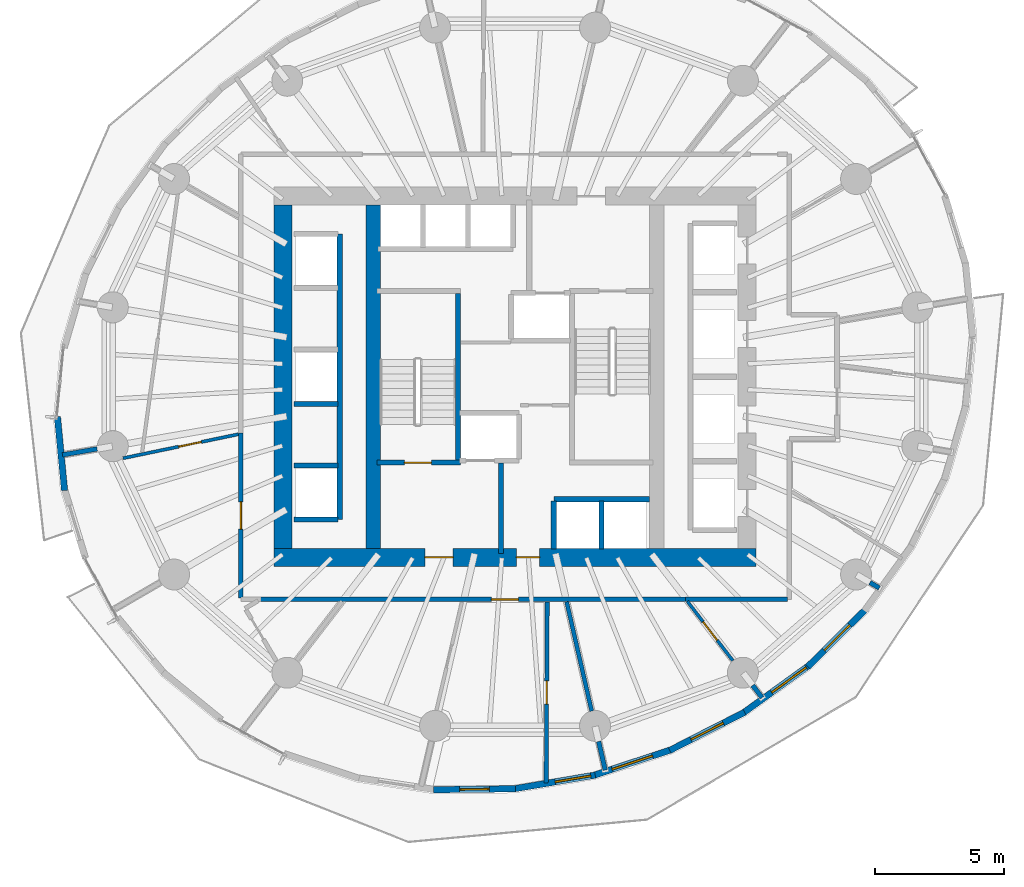
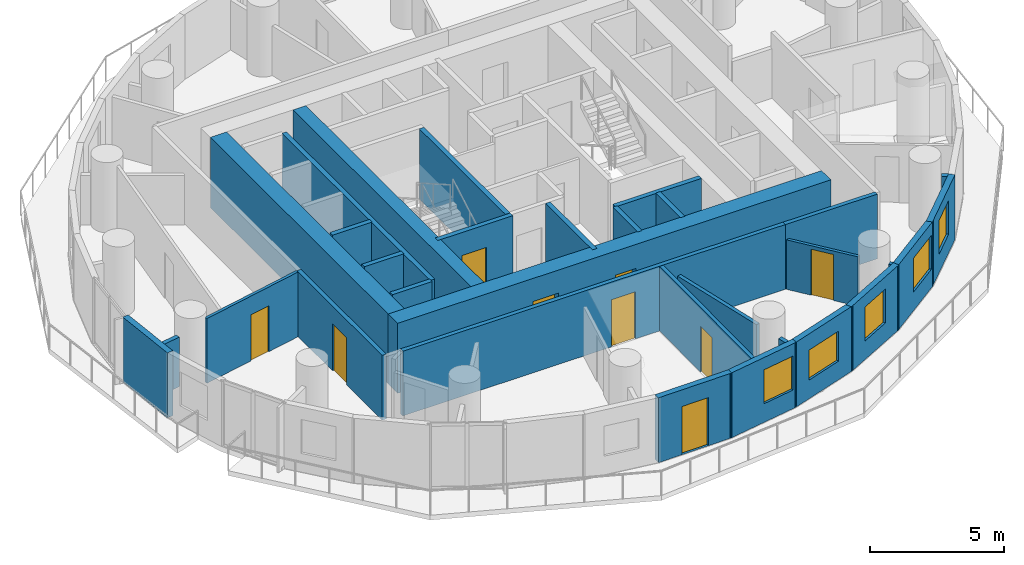
# One storey, part 7 of 14: 31 walls, 9 doors, 5 windows, 14 openings.
"""IFC4 building model written with IfcOpenShell, lengths in metres."""

from ifc_helpers import new_model, si_unit, direction, frame, frame_2d, origin, place, context, subcontext, project, spatial, rectangle, extrude, material, layer, layer_set, type_object, element, fill, save


model = new_model("IFC4")

# Units and contexts
model_context = context("Model", 3, precision=1e-05, world=origin(), true_north=direction((0.0, 1.0)))
body_context = subcontext(model_context, "Body", "Model", "MODEL_VIEW")
ifc_project = project(units=[si_unit("LENGTHUNIT", "METRE"), si_unit("AREAUNIT", "SQUARE_METRE"), si_unit("VOLUMEUNIT", "CUBIC_METRE"), si_unit("PLANEANGLEUNIT", "RADIAN"), si_unit("MASSUNIT", "GRAM", prefix="KILO")], contexts=[model_context])

# Site, building, storey
site_placement = place(None, origin())
site = spatial("IfcSite", under=ifc_project, at=site_placement, CompositionType="ELEMENT")
building_placement = place(site_placement, origin())
building = spatial("IfcBuilding", under=site, at=building_placement, Name="Veldorim Arch Residences", CompositionType="ELEMENT")
storey_placement = place(building_placement, frame((0.0, 0.0, 96.47998046875)))
storey = spatial("IfcBuildingStorey", under=building, at=storey_placement, Name="L28", CompositionType="ELEMENT", Elevation=96.47998046875)

# Wall, opening, door
ifc_material_1 = material(Name="Acoustic Gypsum Board", Category="gypsum")
ifc_layer_1 = layer(ifc_material_1, 0.125, Name="Acoustic Stud Room Partition Wall 125")
ifc_layer_set_1 = layer_set([ifc_layer_1], Name="Acoustic Gypsum Board")
wall_type_1 = type_object("IfcWallType", Name="Acoustic Stud Room Partition Wall 125", PredefinedType="PARTITIONING", material=ifc_layer_set_1)
wall_1_placement = place(storey_placement, frame((40.4423828125, 12.99365234375, 0.0), z_axis=(0.0, 0.0, 1.0), x_axis=(-0.608613879959, 0.793466536863, 0.0)))
wall_1 = element("IfcWall", 1, at=wall_1_placement, inside=storey, type_object=wall_type_1, Name="L28 interior wall WL-RES-L28-020", PredefinedType="PARTITIONING", context=body_context, shape_type="SweptSolid", body=[
    extrude(rectangle(XDim=2.89501953125, YDim=0.125, at=frame_2d((1.447509765625, 0.0))), origin(), (0.0, 0.0, 1.0), 2.260498046875),
])
opening_1_placement = place(wall_1_placement, frame((0.99755859375, 0.0, 0.0)))
opening_1 = element("IfcOpeningElement", 2, at=opening_1_placement, cuts=wall_1, Name="Opening DR-INT", PredefinedType="OPENING", context=body_context, shape_type="SweptSolid", body=[
    extrude(rectangle(XDim=0.89990234375, YDim=2.10009765625, at=frame_2d((0.449951171875, 1.050048828125))), frame((0.0, 0.072509765625, 0.0), z_axis=(0.0, -1.0, 0.0), x_axis=(1.0, 0.0, 0.0)), (0.0, 0.0, 1.0), 0.14501953125),
])
ifc_material_2 = material(Name="Engineered Timber", Category="wood")
door_type_1 = type_object("IfcDoorType", Name="Apartment Internal Room Timber Door 900x2100", OperationType="SINGLE_SWING_LEFT", PredefinedType="DOOR", material=ifc_material_2)
door_1_placement = place(opening_1_placement, origin())
door_1 = element("IfcDoor", 3, at=door_1_placement, inside=storey, type_object=door_type_1, Name="L28 interior door DR-RES-L28-007", OperationType="SINGLE_SWING_LEFT", OverallHeight=2.10009765625, OverallWidth=0.89990234375, PredefinedType="DOOR", context=body_context, shape_type="SweptSolid", body=[
    extrude(rectangle(XDim=0.89990234375, YDim=2.10009765625, at=frame_2d((0.449951171875, 1.050048828125))), frame((0.0, 0.02490234375, 0.0), z_axis=(0.0, -1.0, 0.0), x_axis=(1.0, 0.0, 0.0)), (0.0, 0.0, 1.0), 0.050048828125),
])
fill(opening_1, door_1)

wall_2_placement = place(storey_placement, frame((16.80126953125, 20.841796875, 0.0), z_axis=(0.0, 0.0, 1.0), x_axis=(0.979089254375, 0.203431147977, 0.0)))
wall_2 = element("IfcWall", 4, at=wall_2_placement, inside=storey, type_object=wall_type_1, Name="L28 interior wall WL-RES-L28-031", PredefinedType="PARTITIONING", context=body_context, shape_type="SweptSolid", body=[
    extrude(rectangle(XDim=4.56640625, YDim=0.125, at=frame_2d((2.283203125, 0.0))), origin(), (0.0, 0.0, 1.0), 2.955078125),
])
opening_2_placement = place(wall_2_placement, frame((2.1962890625, 0.0, 0.0)))
opening_2 = element("IfcOpeningElement", 5, at=opening_2_placement, cuts=wall_2, Name="Opening DR-INT", PredefinedType="OPENING", context=body_context, shape_type="SweptSolid", body=[
    extrude(rectangle(XDim=0.89990234375, YDim=2.10009765625, at=frame_2d((0.449951171875, 1.050048828125))), frame((0.0, 0.072509765625, 0.0), z_axis=(0.0, -1.0, 0.0), x_axis=(1.0, 0.0, 0.0)), (0.0, 0.0, 1.0), 0.14501953125),
])
door_2_placement = place(opening_2_placement, origin())
door_2 = element("IfcDoor", 6, at=door_2_placement, inside=storey, type_object=door_type_1, Name="L28 interior door DR-RES-L28-018", OperationType="SINGLE_SWING_RIGHT", OverallHeight=2.10009765625, OverallWidth=0.89990234375, PredefinedType="DOOR", context=body_context, shape_type="SweptSolid", body=[
    extrude(rectangle(XDim=0.89990234375, YDim=2.10009765625, at=frame_2d((0.449951171875, 1.050048828125))), frame((0.0, 0.02490234375, 0.0), z_axis=(0.0, -1.0, 0.0), x_axis=(1.0, 0.0, 0.0)), (0.0, 0.0, 1.0), 0.050048828125),
])
fill(opening_2, door_2)

# Walls
ifc_material_3 = material(Name="Lightweight Masonry Block & Gypsum", Category="masonry")
ifc_layer_2 = layer(ifc_material_3, 0.179931640625, Name="Compartment & Corridor Fire-Rated Party Wall 180")
ifc_layer_set_2 = layer_set([ifc_layer_2], Name="Lightweight Masonry Block & Gypsum")
wall_type_2 = type_object("IfcWallType", Name="Compartment & Corridor Fire-Rated Party Wall 180", PredefinedType="PARTITIONING", material=ifc_layer_set_2)
wall_3_placement = place(storey_placement, frame((15.79443359375, 21.202392578125, 0.0), z_axis=(0.0, 0.0, 1.0), x_axis=(-0.98540615772, -0.170219576807, 0.0)))
element("IfcWall", 7, at=wall_3_placement, inside=storey, type_object=wall_type_2, Name="L28 interior wall WL-PIER-L28-09", PredefinedType="PARTITIONING", context=body_context, shape_type="SweptSolid", body=[
    extrude(rectangle(XDim=1.359619140625, YDim=0.179931640625, at=frame_2d((0.6796875, 0.0))), origin(), (0.0, 0.0, 1.0), 2.260498046875),
])
wall_4_placement = place(storey_placement, frame((35.240478515625, 9.86083984375, 0.0), z_axis=(0.0, 0.0, 1.0), x_axis=(0.223325248633, -0.974743983476, 0.0)))
element("IfcWall", 8, at=wall_4_placement, inside=storey, type_object=wall_type_2, Name="L28 interior wall WL-PIER-L28-13", PredefinedType="PARTITIONING", context=body_context, shape_type="SweptSolid", body=[
    extrude(rectangle(XDim=1.13916015625, YDim=0.179931640625, at=frame_2d((0.569580078125, 0.0))), origin(), (0.0, 0.0, 1.0), 2.260498046875),
])
wall_5_placement = place(storey_placement, frame((41.2119140625, 12.034423828125, 0.0), z_axis=(0.0, 0.0, 1.0), x_axis=(0.609809319142, -0.792548165279, 0.0)))
element("IfcWall", 9, at=wall_5_placement, inside=storey, type_object=wall_type_2, Name="L28 interior wall WL-PIER-L28-14", PredefinedType="PARTITIONING", context=body_context, shape_type="SweptSolid", body=[
    extrude(rectangle(XDim=0.5986328125, YDim=0.179931640625, at=frame_2d((0.29931640625, 0.0))), origin(), (0.0, 0.0, 1.0), 2.260498046875),
])
wall_6_placement = place(storey_placement, frame((45.756591796875, 16.022216796875, 0.0), z_axis=(0.0, 0.0, 1.0), x_axis=(0.864926134071, -0.501899175733, 0.0)))
element("IfcWall", 10, at=wall_6_placement, inside=storey, type_object=wall_type_2, Name="L28 interior wall WL-PIER-L28-15", PredefinedType="PARTITIONING", context=body_context, shape_type="SweptSolid", body=[
    extrude(rectangle(XDim=0.423583984375, YDim=0.179931640625, at=frame_2d((0.2119140625, 0.0))), origin(), (0.0, 0.0, 1.0), 2.260498046875),
])

# Wall, opening, door
wall_7_placement = place(storey_placement, frame((38.644775390625, 15.3701171875, 0.0), z_axis=(0.0, 0.0, 1.0), x_axis=(-1.0, 0.0, 0.0)))
wall_7 = element("IfcWall", 11, at=wall_7_placement, inside=storey, type_object=wall_type_2, Name="L28 interior wall WL-RES-L28-001", PredefinedType="PARTITIONING", context=body_context, shape_type="SweptSolid", body=[
    extrude(rectangle(XDim=16.556640625, YDim=0.179931640625, at=frame_2d((8.2783203125, 0.0))), origin(), (0.0, 0.0, 1.0), 2.955078125),
])
opening_3_placement = place(wall_7_placement, frame((6.51318359375, 0.0, 0.0)))
opening_3 = element("IfcOpeningElement", 12, at=opening_3_placement, cuts=wall_7, Name="Opening DR-FLT", PredefinedType="OPENING", context=body_context, shape_type="SweptSolid", body=[
    extrude(rectangle(XDim=1.050048828125, YDim=2.14990234375, at=frame_2d((0.52490234375, 1.074951171875))), frame((0.0, 0.099853515625, 0.0), z_axis=(0.0, -1.0, 0.0), x_axis=(1.0, 0.0, 0.0)), (0.0, 0.0, 1.0), 0.199951171875),
])
ifc_material_4 = material(Name="Fire-Rated Timber", Category="wood")
door_type_2 = type_object("IfcDoorType", Name="Apartment Entrance Solid-Core Fire Door 1050x2150", OperationType="SINGLE_SWING_LEFT", PredefinedType="DOOR", material=ifc_material_4)
door_3_placement = place(opening_3_placement, origin())
door_3 = element("IfcDoor", 13, at=door_3_placement, inside=storey, type_object=door_type_2, Name="L28 interior door DR-RES-L28-001", OperationType="SINGLE_SWING_LEFT", OverallHeight=2.14990234375, OverallWidth=1.050048828125, PredefinedType="DOOR", context=body_context, shape_type="SweptSolid", body=[
    extrude(rectangle(XDim=1.050048828125, YDim=2.14990234375, at=frame_2d((0.52490234375, 1.074951171875))), frame((0.0, 0.02490234375, 0.0), z_axis=(0.0, -1.0, 0.0), x_axis=(1.0, 0.0, 0.0)), (0.0, 0.0, 1.0), 0.050048828125),
])
fill(opening_3, door_3)

# Wall
wall_8_placement = place(storey_placement, frame((42.570068359375, 15.3701171875, 0.0), z_axis=(0.0, 0.0, 1.0), x_axis=(-1.0, 0.0, 0.0)))
element("IfcWall", 14, at=wall_8_placement, inside=storey, type_object=wall_type_2, Name="L28 interior wall WL-RES-L28-005", PredefinedType="PARTITIONING", context=body_context, shape_type="SweptSolid", body=[
    extrude(rectangle(XDim=3.970458984375, YDim=0.179931640625, at=frame_2d((1.9853515625, 0.0))), origin(), (0.0, 0.0, 1.0), 2.955078125),
])

# Wall, opening, door
wall_9_placement = place(storey_placement, frame((21.3701171875, 15.429931640625, 0.0), z_axis=(0.0, 0.0, 1.0), x_axis=(0.0, 1.0, 0.0)))
wall_9 = element("IfcWall", 15, at=wall_9_placement, inside=storey, type_object=wall_type_2, Name="L28 interior wall WL-RES-L28-012", PredefinedType="PARTITIONING", context=body_context, shape_type="SweptSolid", body=[
    extrude(rectangle(XDim=6.381103515625, YDim=0.179931640625, at=frame_2d((3.1904296875, 0.0))), origin(), (0.0, 0.0, 1.0), 2.955078125),
])
opening_4_placement = place(wall_9_placement, frame((2.66552734375, 0.0, 0.0)))
opening_4 = element("IfcOpeningElement", 16, at=opening_4_placement, cuts=wall_9, Name="Opening DR-FLT", PredefinedType="OPENING", context=body_context, shape_type="SweptSolid", body=[
    extrude(rectangle(XDim=1.050048828125, YDim=2.14990234375, at=frame_2d((0.52490234375, 1.074951171875))), frame((0.0, 0.099853515625, 0.0), z_axis=(0.0, -1.0, 0.0), x_axis=(1.0, 0.0, 0.0)), (0.0, 0.0, 1.0), 0.199951171875),
])
door_4_placement = place(opening_4_placement, origin())
door_4 = element("IfcDoor", 17, at=door_4_placement, inside=storey, type_object=door_type_2, Name="L28 interior door DR-RES-L28-016", OperationType="SINGLE_SWING_RIGHT", OverallHeight=2.14990234375, OverallWidth=1.050048828125, PredefinedType="DOOR", context=body_context, shape_type="SweptSolid", body=[
    extrude(rectangle(XDim=1.050048828125, YDim=2.14990234375, at=frame_2d((0.52490234375, 1.074951171875))), frame((0.0, 0.02490234375, 0.0), z_axis=(0.0, -1.0, 0.0), x_axis=(1.0, 0.0, 0.0)), (0.0, 0.0, 1.0), 0.050048828125),
])
fill(opening_4, door_4)

# Wall
ifc_material_5 = material(Name="Concrete C50/60", Category="concrete")
ifc_layer_3 = layer(ifc_material_5, 0.199951171875, Name="Core Stair & Lift Shaft Enclosure Wall 200")
ifc_layer_set_3 = layer_set([ifc_layer_3], Name="Concrete C50/60")
wall_type_3 = type_object("IfcWallType", Name="Core Stair & Lift Shaft Enclosure Wall 200", PredefinedType="SHEAR", material=ifc_layer_set_3)
wall_10_placement = place(storey_placement, frame((29.7900390625, 20.780029296875, 0.0), z_axis=(0.0, 0.0, 1.0), x_axis=(0.0, 1.0, 0.0)))
element("IfcWall", 18, at=wall_10_placement, inside=storey, type_object=wall_type_3, Name="L28 shaft wall WL-SHF-L28-ST1-E", PredefinedType="SHEAR", context=body_context, shape_type="SweptSolid", body=[
    extrude(rectangle(XDim=6.43994140625, YDim=0.199951171875, at=frame_2d((3.219970703125, 0.0))), origin(), (0.0, 0.0, 1.0), 3.199951171875),
])

# Wall, opening, door
wall_11_placement = place(storey_placement, frame((26.64990234375, 20.669921875, 0.0), z_axis=(0.0, 0.0, 1.0), x_axis=(1.0, 0.0, 0.0)))
wall_11 = element("IfcWall", 19, at=wall_11_placement, inside=storey, type_object=wall_type_3, Name="L28 shaft wall WL-SHF-L28-ST1-S", PredefinedType="SHEAR", context=body_context, shape_type="SweptSolid", body=[
    extrude(rectangle(XDim=3.239990234375, YDim=0.199951171875, at=frame_2d((1.6201171875, 0.0))), origin(), (0.0, 0.0, 1.0), 3.199951171875),
])
opening_5_placement = place(wall_11_placement, frame((1.054931640625, 0.0, 0.0)))
opening_5 = element("IfcOpeningElement", 20, at=opening_5_placement, cuts=wall_11, Name="Opening DR-ST", PredefinedType="OPENING", context=body_context, shape_type="SweptSolid", body=[
    extrude(rectangle(XDim=1.050048828125, YDim=2.14990234375, at=frame_2d((0.52490234375, 1.074951171875))), frame((0.0, 0.10986328125, 0.0), z_axis=(0.0, -1.0, 0.0), x_axis=(1.0, 0.0, 0.0)), (0.0, 0.0, 1.0), 0.219970703125),
])
ifc_material_6 = material(Name="Fire-Rated Steel", Category="steel")
door_type_3 = type_object("IfcDoorType", Name="Exit Staircase Self-Closing Fire Door 1050x2150", OperationType="SINGLE_SWING_LEFT", PredefinedType="DOOR", material=ifc_material_6)
door_5_placement = place(opening_5_placement, origin())
door_5 = element("IfcDoor", 21, at=door_5_placement, inside=storey, type_object=door_type_3, Name="L28 interior door DR-L28-ST1", OperationType="SINGLE_SWING_LEFT", OverallHeight=2.14990234375, OverallWidth=1.050048828125, PredefinedType="DOOR", context=body_context, shape_type="SweptSolid", body=[
    extrude(rectangle(XDim=1.050048828125, YDim=2.14990234375, at=frame_2d((0.52490234375, 1.074951171875))), frame((0.0, 0.02490234375, 0.0), z_axis=(0.0, -1.0, 0.0), x_axis=(1.0, 0.0, 0.0)), (0.0, 0.0, 1.0), 0.050048828125),
])
fill(opening_5, door_5)

# Walls
wall_12_placement = place(storey_placement, frame((31.449951171875, 17.14990234375, 0.0), z_axis=(0.0, 0.0, 1.0), x_axis=(0.0, 1.0, 0.0)))
element("IfcWall", 22, at=wall_12_placement, inside=storey, type_object=wall_type_3, Name="L28 shaft wall WL-FFL1-L28-E", PredefinedType="SHEAR", context=body_context, shape_type="SweptSolid", body=[
    extrude(rectangle(XDim=3.5, YDim=0.199951171875, at=frame_2d((1.75, 0.0))), origin(), (0.0, 0.0, 1.0), 3.199951171875),
])
wall_13_placement = place(storey_placement, frame((25.199951171875, 18.4599609375, 0.0), z_axis=(0.0, 0.0, 1.0), x_axis=(0.0, 1.0, 0.0)))
element("IfcWall", 23, at=wall_13_placement, inside=storey, type_object=wall_type_3, Name="L28 shaft wall WL-B2-L28-E", PredefinedType="SHEAR", context=body_context, shape_type="SweptSolid", body=[
    extrude(rectangle(XDim=11.080078125, YDim=0.199951171875, at=frame_2d((5.5400390625, 0.0))), origin(), (0.0, 0.0, 1.0), 3.199951171875),
])
for number, where, z_axis, x_axis, name in (
    (24, (23.419921875, 18.4599609375, 0.0), (0.0, 0.0, 1.0), (1.0, 0.0, 0.0), "L28 shaft wall WL-B2-L28-S"),
    (25, (23.419921875, 20.56005859375, 0.0), (0.0, 0.0, 1.0), (1.0, 0.0, 0.0), "L28 shaft wall WL-B2-L28-D1A"),
    (26, (23.419921875, 22.93994140625, 0.0), (0.0, 0.0, 1.0), (1.0, 0.0, 0.0), "L28 shaft wall WL-B2-L28-D1B"),
):
    element("IfcWall", number, at=place(storey_placement, frame(where, z_axis=z_axis, x_axis=x_axis)), inside=storey, type_object=wall_type_3, Name=name, PredefinedType="SHEAR", context=body_context, shape_type="SweptSolid", body=[
        extrude(rectangle(XDim=1.7099609375, YDim=0.199951171875, at=frame_2d((0.85498046875, 0.0))), origin(), (0.0, 0.0, 1.0), 3.199951171875),
    ])
wall_14_placement = place(storey_placement, frame((33.5, 19.25, 0.0), z_axis=(0.0, 0.0, 1.0), x_axis=(1.0, 0.0, 0.0)))
element("IfcWall", 27, at=wall_14_placement, inside=storey, type_object=wall_type_3, Name="L28 shaft wall WL-OL-L28-N", PredefinedType="SHEAR", context=body_context, shape_type="SweptSolid", body=[
    extrude(rectangle(XDim=3.719970703125, YDim=0.199951171875, at=frame_2d((1.85986328125, 0.0))), origin(), (0.0, 0.0, 1.0), 3.199951171875),
])
for number, where, z_axis, x_axis, name in (
    (28, (33.5, 17.320068359375, 0.0), (0.0, 0.0, 1.0), (0.0, 1.0, 0.0), "L28 shaft wall WL-OL-L28-W"),
    (29, (35.35009765625, 17.320068359375, 0.0), (0.0, 0.0, 1.0), (0.0, 1.0, 0.0), "L28 shaft wall WL-OL-L28-D1"),
):
    element("IfcWall", number, at=place(storey_placement, frame(where, z_axis=z_axis, x_axis=x_axis)), inside=storey, type_object=wall_type_3, Name=name, PredefinedType="SHEAR", context=body_context, shape_type="SweptSolid", body=[
        extrude(rectangle(XDim=1.85986328125, YDim=0.199951171875, at=frame_2d((0.929931640625, 0.0))), origin(), (0.0, 0.0, 1.0), 3.199951171875),
    ])
ifc_material_7 = material(Name="Concrete C60/75", Category="concrete")
ifc_layer_4 = layer(ifc_material_7, 0.56005859375, Name="Internal Core Shear Web Wall 560")
ifc_layer_set_4 = layer_set([ifc_layer_4], Name="Concrete C60/75")
wall_type_4 = type_object("IfcWallType", Name="Internal Core Shear Web Wall 560", PredefinedType="SHEAR", material=ifc_layer_set_4)
wall_15_placement = place(storey_placement, frame((26.5, 17.35009765625, 0.0), z_axis=(0.0, 0.0, 1.0), x_axis=(0.0, 1.0, 0.0)))
element("IfcWall", 30, at=wall_15_placement, inside=storey, type_object=wall_type_4, Name="L28 core west internal shear web", PredefinedType="SHEAR", context=body_context, shape_type="SweptSolid", body=[
    extrude(rectangle(XDim=13.2998046875, YDim=0.56005859375, at=frame_2d((6.64990234375, 0.0))), origin(), (0.0, 0.0, 1.0), 3.199951171875),
])

# Wall, openings, doors
ifc_material_8 = material(Name="Concrete C60/75", Category="concrete")
ifc_layer_5 = layer(ifc_material_8, 0.699951171875, Name="Mid-Lower Central Core Shear Wall 700")
ifc_layer_set_5 = layer_set([ifc_layer_5], Name="Concrete C60/75")
wall_type_5 = type_object("IfcWallType", Name="Mid-Lower Central Core Shear Wall 700", PredefinedType="SHEAR", material=ifc_layer_set_5)
wall_16_placement = place(storey_placement, frame((22.64990234375, 17.0, 0.0), z_axis=(0.0, 0.0, 1.0), x_axis=(1.0, 0.0, 0.0)))
wall_16 = element("IfcWall", 31, at=wall_16_placement, inside=storey, type_object=wall_type_5, Name="L28 central core south shear wall", PredefinedType="SHEAR", context=body_context, shape_type="SweptSolid", body=[
    extrude(rectangle(XDim=18.7001953125, YDim=0.699951171875, at=frame_2d((9.35009765625, 0.0))), origin(), (0.0, 0.0, 1.0), 3.199951171875),
])
opening_6_placement = place(wall_16_placement, frame((5.85009765625, 0.0, 0.0)))
opening_6 = element("IfcOpeningElement", 32, at=opening_6_placement, cuts=wall_16, Name="Opening DR-FFL", PredefinedType="OPENING", context=body_context, shape_type="SweptSolid", body=[
    extrude(rectangle(XDim=1.10009765625, YDim=2.14990234375, at=frame_2d((0.550048828125, 1.074951171875))), frame((0.0, 0.35986328125, 0.0), z_axis=(0.0, -1.0, 0.0), x_axis=(1.0, 0.0, 0.0)), (0.0, 0.0, 1.0), 0.719970703125),
])
opening_7_placement = place(wall_16_placement, frame((9.39990234375, 0.0, 0.0)))
opening_7 = element("IfcOpeningElement", 33, at=opening_7_placement, cuts=wall_16, Name="Opening DR-SVC", PredefinedType="OPENING", context=body_context, shape_type="SweptSolid", body=[
    extrude(rectangle(XDim=0.89990234375, YDim=2.10009765625, at=frame_2d((0.449951171875, 1.050048828125))), frame((0.0, 0.35986328125, 0.0), z_axis=(0.0, -1.0, 0.0), x_axis=(1.0, 0.0, 0.0)), (0.0, 0.0, 1.0), 0.719970703125),
])
ifc_material_9 = material(Name="Fire-Rated Steel & Vision Glass", Category="steel")
door_type_4 = type_object("IfcDoorType", Name="Firefighting Lobby Smoke-Stop Fire Door 1100x2150", OperationType="SINGLE_SWING_LEFT", PredefinedType="DOOR", material=ifc_material_9)
door_6_placement = place(opening_6_placement, origin())
door_6 = element("IfcDoor", 34, at=door_6_placement, inside=storey, type_object=door_type_4, Name="L28 interior door DR-L28-FFL1", OperationType="SINGLE_SWING_RIGHT", OverallHeight=2.14990234375, OverallWidth=1.10009765625, PredefinedType="DOOR", context=body_context, shape_type="SweptSolid", body=[
    extrude(rectangle(XDim=1.10009765625, YDim=2.14990234375, at=frame_2d((0.550048828125, 1.074951171875))), frame((0.0, 0.02490234375, 0.0), z_axis=(0.0, -1.0, 0.0), x_axis=(1.0, 0.0, 0.0)), (0.0, 0.0, 1.0), 0.050048828125),
])
fill(opening_6, door_6)
ifc_material_10 = material(Name="Fire-Rated Steel", Category="steel")
door_type_5 = type_object("IfcDoorType", Name="Riser, Shelter & Plant Room Rated Steel Door 900x2100", OperationType="SINGLE_SWING_LEFT", PredefinedType="DOOR", material=ifc_material_10)
door_7_placement = place(opening_7_placement, origin())
door_7 = element("IfcDoor", 35, at=door_7_placement, inside=storey, type_object=door_type_5, Name="L28 interior door DR-L28-COR-ANC", OperationType="SINGLE_SWING_LEFT", OverallHeight=2.10009765625, OverallWidth=0.89990234375, PredefinedType="DOOR", context=body_context, shape_type="SweptSolid", body=[
    extrude(rectangle(XDim=0.89990234375, YDim=2.10009765625, at=frame_2d((0.449951171875, 1.050048828125))), frame((0.0, 0.02490234375, 0.0), z_axis=(0.0, -1.0, 0.0), x_axis=(1.0, 0.0, 0.0)), (0.0, 0.0, 1.0), 0.050048828125),
])
fill(opening_7, door_7)

# Walls
wall_17_placement = place(storey_placement, frame((23.0, 17.35009765625, 0.0), z_axis=(0.0, 0.0, 1.0), x_axis=(0.0, 1.0, 0.0)))
element("IfcWall", 36, at=wall_17_placement, inside=storey, type_object=wall_type_5, Name="L28 central core west shear wall", PredefinedType="SHEAR", context=body_context, shape_type="SweptSolid", body=[
    extrude(rectangle(XDim=13.2998046875, YDim=0.699951171875, at=frame_2d((6.64990234375, 0.0))), origin(), (0.0, 0.0, 1.0), 3.199951171875),
])
ifc_material_11 = material(Name="Precast concrete C40/50", Category="concrete")
ifc_layer_6 = layer(ifc_material_11, 0.25, Name="Tower Terracotta Spandrel & Pier Wall 250")
ifc_layer_set_6 = layer_set([ifc_layer_6], Name="Precast concrete C40/50")
wall_type_6 = type_object("IfcWallType", Name="Tower Terracotta Spandrel & Pier Wall 250", PredefinedType="SOLIDWALL", material=ifc_layer_set_6)
wall_18_placement = place(storey_placement, frame((14.533447265625, 19.587890625, 0.0), z_axis=(0.0, 0.0, 1.0), x_axis=(-0.096332339466, 0.995349225334, 0.0)))
element("IfcWall", 37, at=wall_18_placement, inside=storey, type_object=wall_type_6, Name="L28 terracotta facade wall 17", PredefinedType="SOLIDWALL", context=body_context, shape_type="SweptSolid", body=[
    extrude(rectangle(XDim=2.8740234375, YDim=0.25, at=frame_2d((1.43701171875, 0.0))), origin(), (0.0, 0.0, 1.0), 2.9599609375),
])

# Wall, opening, door
wall_19_placement = place(storey_placement, frame((32.02490234375, 8.0263671875, 0.0), z_axis=(0.0, 0.0, 1.0), x_axis=(-0.999936786044, -0.011243839023, 0.0)))
wall_19 = element("IfcWall", 38, at=wall_19_placement, inside=storey, type_object=wall_type_6, Name="L28 terracotta facade wall 25", PredefinedType="SOLIDWALL", context=body_context, shape_type="SweptSolid", body=[
    extrude(rectangle(XDim=3.19189453125, YDim=0.25, at=frame_2d((1.595947265625, 0.0))), origin(), (0.0, 0.0, 1.0), 2.9599609375),
])
opening_8_placement = place(wall_19_placement, frame((1.02099609375, 0.0, 0.0)))
opening_8 = element("IfcOpeningElement", 39, at=opening_8_placement, cuts=wall_19, Name="Opening BL-DR", PredefinedType="OPENING", context=body_context, shape_type="SweptSolid", body=[
    extrude(rectangle(XDim=1.14990234375, YDim=2.199951171875, at=frame_2d((0.574951171875, 1.10009765625))), frame((0.0, 0.135009765625, 0.0), z_axis=(0.0, -1.0, 0.0), x_axis=(1.0, 0.0, 0.0)), (0.0, 0.0, 1.0), 0.27001953125),
])
ifc_material_12 = material(Name="Aluminium & Low-E Glass", Category="aluminium")
door_type_6 = type_object("IfcDoorType", Name="Glazed Planted Balcony Door 1150x2200", OperationType="SINGLE_SWING_LEFT", PredefinedType="DOOR", material=ifc_material_12)
door_8_placement = place(opening_8_placement, origin())
door_8 = element("IfcDoor", 40, at=door_8_placement, inside=storey, type_object=door_type_6, Name="L28 glazed outdoor terrace door BALC-2", OperationType="SINGLE_SWING_LEFT", OverallHeight=2.199951171875, OverallWidth=1.14990234375, PredefinedType="DOOR", context=body_context, shape_type="SweptSolid", body=[
    extrude(rectangle(XDim=1.14990234375, YDim=2.199951171875, at=frame_2d((0.574951171875, 1.10009765625))), frame((0.0, 0.02490234375, 0.0), z_axis=(0.0, -1.0, 0.0), x_axis=(1.0, 0.0, 0.0)), (0.0, 0.0, 1.0), 0.050048828125),
])
fill(opening_8, door_8)

# Wall, opening, window
wall_20_placement = place(storey_placement, frame((35.107421875, 8.555419921875, 0.0), z_axis=(0.0, 0.0, 1.0), x_axis=(-0.986043062305, -0.166490478044, 0.0)))
wall_20 = element("IfcWall", 41, at=wall_20_placement, inside=storey, type_object=wall_type_6, Name="L28 terracotta facade wall 26", PredefinedType="SOLIDWALL", context=body_context, shape_type="SweptSolid", body=[
    extrude(rectangle(XDim=3.236328125, YDim=0.25, at=frame_2d((1.6181640625, 0.0))), origin(), (0.0, 0.0, 1.0), 2.9599609375),
])
opening_9_placement = place(wall_20_placement, frame((0.175048828125, 0.0, 0.85009765625)))
opening_9 = element("IfcOpeningElement", 42, at=opening_9_placement, cuts=wall_20, Name="Opening WN-02", PredefinedType="OPENING", context=body_context, shape_type="SweptSolid", body=[
    extrude(rectangle(XDim=1.39990234375, YDim=1.550048828125, at=frame_2d((0.699951171875, 0.77490234375))), frame((0.0, 0.135009765625, 0.0), z_axis=(0.0, -1.0, 0.0), x_axis=(1.0, 0.0, 0.0)), (0.0, 0.0, 1.0), 0.27001953125),
])
ifc_material_13 = material(Name="Laminated Low-E Glass", Category="glass")
window_type_1 = type_object("IfcWindowType", Name="Residential Casement Window 1400x1550", PartitioningType="SINGLE_PANEL", PredefinedType="WINDOW", material=ifc_material_13)
window_1_placement = place(opening_9_placement, origin())
window_1 = element("IfcWindow", 43, at=window_1_placement, inside=storey, type_object=window_type_1, Name="L28 solar-control facade window 26", OverallHeight=1.550048828125, OverallWidth=1.39990234375, PartitioningType="SINGLE_PANEL", PredefinedType="WINDOW", context=body_context, shape_type="SweptSolid", body=[
    extrude(rectangle(XDim=1.39990234375, YDim=1.550048828125, at=frame_2d((0.699951171875, 0.77490234375))), frame((0.0, 0.030029296875, 0.0), z_axis=(0.0, -1.0, 0.0), x_axis=(1.0, 0.0, 0.0)), (0.0, 0.0, 1.0), 0.06005859375),
])
fill(opening_9, window_1)

wall_21_placement = place(storey_placement, frame((38.095703125, 9.5546875, 0.0), z_axis=(0.0, 0.0, 1.0), x_axis=(-0.949206293356, -0.314654433709, 0.0)))
wall_21 = element("IfcWall", 44, at=wall_21_placement, inside=storey, type_object=wall_type_6, Name="L28 terracotta facade wall 27", PredefinedType="SOLIDWALL", context=body_context, shape_type="SweptSolid", body=[
    extrude(rectangle(XDim=3.259521484375, YDim=0.25, at=frame_2d((1.6298828125, 0.0))), origin(), (0.0, 0.0, 1.0), 2.9599609375),
])
opening_10_placement = place(wall_21_placement, frame((0.804931640625, 0.0, 0.85009765625)))
opening_10 = element("IfcOpeningElement", 45, at=opening_10_placement, cuts=wall_21, Name="Opening WN-03", PredefinedType="OPENING", context=body_context, shape_type="SweptSolid", body=[
    extrude(rectangle(XDim=1.64990234375, YDim=1.3701171875, at=frame_2d((0.824951171875, 0.68505859375))), frame((0.0, 0.135009765625, 0.0), z_axis=(0.0, -1.0, 0.0), x_axis=(1.0, 0.0, 0.0)), (0.0, 0.0, 1.0), 0.27001953125),
])
ifc_material_14 = material(Name="Laminated Low-E Glass", Category="glass")
window_type_2 = type_object("IfcWindowType", Name="Residential Wide Window 1650x1550", PartitioningType="SINGLE_PANEL", PredefinedType="WINDOW", material=ifc_material_14)
window_2_placement = place(opening_10_placement, origin())
window_2 = element("IfcWindow", 46, at=window_2_placement, inside=storey, type_object=window_type_2, Name="L28 solar-control facade window 27", OverallHeight=1.3701171875, OverallWidth=1.64990234375, PartitioningType="SINGLE_PANEL", PredefinedType="WINDOW", context=body_context, shape_type="SweptSolid", body=[
    extrude(rectangle(XDim=1.64990234375, YDim=1.3701171875, at=frame_2d((0.824951171875, 0.68505859375))), frame((0.0, 0.030029296875, 0.0), z_axis=(0.0, -1.0, 0.0), x_axis=(1.0, 0.0, 0.0)), (0.0, 0.0, 1.0), 0.06005859375),
])
fill(opening_10, window_2)

wall_22_placement = place(storey_placement, frame((40.89892578125, 10.99365234375, 0.0), z_axis=(0.0, 0.0, 1.0), x_axis=(-0.89081817606, -0.454359964347, 0.0)))
wall_22 = element("IfcWall", 47, at=wall_22_placement, inside=storey, type_object=wall_type_6, Name="L28 terracotta facade wall 28", PredefinedType="SOLIDWALL", context=body_context, shape_type="SweptSolid", body=[
    extrude(rectangle(XDim=3.259521484375, YDim=0.25, at=frame_2d((1.6298828125, 0.0))), origin(), (0.0, 0.0, 1.0), 2.9599609375),
])
opening_11_placement = place(wall_22_placement, frame((0.929931640625, 0.0, 0.85009765625)))
opening_11 = element("IfcOpeningElement", 48, at=opening_11_placement, cuts=wall_22, Name="Opening WN-02", PredefinedType="OPENING", context=body_context, shape_type="SweptSolid", body=[
    extrude(rectangle(XDim=1.39990234375, YDim=1.550048828125, at=frame_2d((0.699951171875, 0.77490234375))), frame((0.0, 0.135009765625, 0.0), z_axis=(0.0, -1.0, 0.0), x_axis=(1.0, 0.0, 0.0)), (0.0, 0.0, 1.0), 0.27001953125),
])
window_3_placement = place(opening_11_placement, origin())
window_3 = element("IfcWindow", 49, at=window_3_placement, inside=storey, type_object=window_type_1, Name="L28 solar-control facade window 28", OverallHeight=1.550048828125, OverallWidth=1.39990234375, PartitioningType="SINGLE_PANEL", PredefinedType="WINDOW", context=body_context, shape_type="SweptSolid", body=[
    extrude(rectangle(XDim=1.39990234375, YDim=1.550048828125, at=frame_2d((0.699951171875, 0.77490234375))), frame((0.0, 0.030029296875, 0.0), z_axis=(0.0, -1.0, 0.0), x_axis=(1.0, 0.0, 0.0)), (0.0, 0.0, 1.0), 0.06005859375),
])
fill(opening_11, window_3)

wall_23_placement = place(storey_placement, frame((43.431640625, 12.828857421875, 0.0), z_axis=(0.0, 0.0, 1.0), x_axis=(-0.81131534838, -0.584608762749, 0.0)))
wall_23 = element("IfcWall", 50, at=wall_23_placement, inside=storey, type_object=wall_type_6, Name="L28 terracotta facade wall 29", PredefinedType="SOLIDWALL", context=body_context, shape_type="SweptSolid", body=[
    extrude(rectangle(XDim=3.236083984375, YDim=0.25, at=frame_2d((1.6181640625, 0.0))), origin(), (0.0, 0.0, 1.0), 2.9599609375),
])
opening_12_placement = place(wall_23_placement, frame((0.175048828125, 0.0, 0.85009765625)))
opening_12 = element("IfcOpeningElement", 51, at=opening_12_placement, cuts=wall_23, Name="Opening WN-03", PredefinedType="OPENING", context=body_context, shape_type="SweptSolid", body=[
    extrude(rectangle(XDim=1.64990234375, YDim=1.550048828125, at=frame_2d((0.824951171875, 0.77490234375))), frame((0.0, 0.135009765625, 0.0), z_axis=(0.0, -1.0, 0.0), x_axis=(1.0, 0.0, 0.0)), (0.0, 0.0, 1.0), 0.27001953125),
])
window_4_placement = place(opening_12_placement, origin())
window_4 = element("IfcWindow", 52, at=window_4_placement, inside=storey, type_object=window_type_2, Name="L28 solar-control facade window 29", OverallHeight=1.550048828125, OverallWidth=1.64990234375, PartitioningType="SINGLE_PANEL", PredefinedType="WINDOW", context=body_context, shape_type="SweptSolid", body=[
    extrude(rectangle(XDim=1.64990234375, YDim=1.550048828125, at=frame_2d((0.824951171875, 0.77490234375))), frame((0.0, 0.030029296875, 0.0), z_axis=(0.0, -1.0, 0.0), x_axis=(1.0, 0.0, 0.0)), (0.0, 0.0, 1.0), 0.06005859375),
])
fill(opening_12, window_4)

wall_24_placement = place(storey_placement, frame((45.6162109375, 15.004150390625, 0.0), z_axis=(0.0, 0.0, 1.0), x_axis=(-0.710540573889, -0.703656232017, 0.0)))
wall_24 = element("IfcWall", 53, at=wall_24_placement, inside=storey, type_object=wall_type_6, Name="L28 terracotta facade wall 30", PredefinedType="SOLIDWALL", context=body_context, shape_type="SweptSolid", body=[
    extrude(rectangle(XDim=3.191650390625, YDim=0.25, at=frame_2d((1.595703125, 0.0))), origin(), (0.0, 0.0, 1.0), 2.9599609375),
])
opening_13_placement = place(wall_24_placement, frame((0.89599609375, 0.0, 0.85009765625)))
opening_13 = element("IfcOpeningElement", 54, at=opening_13_placement, cuts=wall_24, Name="Opening WN-02", PredefinedType="OPENING", context=body_context, shape_type="SweptSolid", body=[
    extrude(rectangle(XDim=1.39990234375, YDim=1.550048828125, at=frame_2d((0.699951171875, 0.77490234375))), frame((0.0, 0.135009765625, 0.0), z_axis=(0.0, -1.0, 0.0), x_axis=(1.0, 0.0, 0.0)), (0.0, 0.0, 1.0), 0.27001953125),
])
window_5_placement = place(opening_13_placement, origin())
window_5 = element("IfcWindow", 55, at=window_5_placement, inside=storey, type_object=window_type_1, Name="L28 solar-control facade window 30", OverallHeight=1.550048828125, OverallWidth=1.39990234375, PartitioningType="SINGLE_PANEL", PredefinedType="WINDOW", context=body_context, shape_type="SweptSolid", body=[
    extrude(rectangle(XDim=1.39990234375, YDim=1.550048828125, at=frame_2d((0.699951171875, 0.77490234375))), frame((0.0, 0.030029296875, 0.0), z_axis=(0.0, -1.0, 0.0), x_axis=(1.0, 0.0, 0.0)), (0.0, 0.0, 1.0), 0.06005859375),
])
fill(opening_13, window_5)

# Wall, opening, door
ifc_material_15 = material(Name="Moisture-Resistant Gypsum & Stud", Category="gypsum")
ifc_layer_7 = layer(ifc_material_15, 0.159912109375, Name="Wet-Area Moisture-Resistant Plumbing Wall 160")
ifc_layer_set_7 = layer_set([ifc_layer_7], Name="Moisture-Resistant Gypsum & Stud")
wall_type_7 = type_object("IfcWallType", Name="Wet-Area Moisture-Resistant Plumbing Wall 160", PredefinedType="PLUMBINGWALL", material=ifc_layer_set_7)
wall_25_placement = place(storey_placement, frame((33.248291015625, 15.27001953125, 0.0), z_axis=(0.0, 0.0, 1.0), x_axis=(-0.006016026892, -0.999981903546, 0.0)))
wall_25 = element("IfcWall", 56, at=wall_25_placement, inside=storey, type_object=wall_type_7, Name="L28 interior wall WL-RES-L28-013", PredefinedType="PLUMBINGWALL", context=body_context, shape_type="SweptSolid", body=[
    extrude(rectangle(XDim=7.020751953125, YDim=0.159912109375, at=frame_2d((3.51025390625, 0.0))), origin(), (0.0, 0.0, 1.0), 2.955078125),
])
opening_14_placement = place(wall_25_placement, frame((3.060302734375, 0.0, 0.0)))
opening_14 = element("IfcOpeningElement", 57, at=opening_14_placement, cuts=wall_25, Name="Opening DR-WC", PredefinedType="OPENING", context=body_context, shape_type="SweptSolid", body=[
    extrude(rectangle(XDim=0.89990234375, YDim=2.10009765625, at=frame_2d((0.449951171875, 1.050048828125))), frame((0.0, 0.08984375, 0.0), z_axis=(0.0, -1.0, 0.0), x_axis=(1.0, 0.0, 0.0)), (0.0, 0.0, 1.0), 0.179931640625),
])
ifc_material_16 = material(Name="Laminate Timber", Category="wood")
door_type_7 = type_object("IfcDoorType", Name="Bathroom & Accessible WC Moisture-Sealed Door 900x2100", OperationType="SINGLE_SWING_LEFT", PredefinedType="DOOR", material=ifc_material_16)
door_9_placement = place(opening_14_placement, origin())
door_9 = element("IfcDoor", 58, at=door_9_placement, inside=storey, type_object=door_type_7, Name="L28 interior door DR-RES-L28-002", OperationType="SINGLE_SWING_RIGHT", OverallHeight=2.10009765625, OverallWidth=0.89990234375, PredefinedType="DOOR", context=body_context, shape_type="SweptSolid", body=[
    extrude(rectangle(XDim=0.89990234375, YDim=2.10009765625, at=frame_2d((0.449951171875, 1.050048828125))), frame((0.0, 0.02490234375, 0.0), z_axis=(0.0, -1.0, 0.0), x_axis=(1.0, 0.0, 0.0)), (0.0, 0.0, 1.0), 0.050048828125),
])
fill(opening_14, door_9)

# Wall
wall_26_placement = place(storey_placement, frame((34.0, 15.2724609375, 0.0), z_axis=(0.0, 0.0, 1.0), x_axis=(0.223409547543, -0.974724665773, 0.0)))
element("IfcWall", 59, at=wall_26_placement, inside=storey, type_object=wall_type_7, Name="L28 interior wall WL-RES-L28-015", PredefinedType="PLUMBINGWALL", context=body_context, shape_type="SweptSolid", body=[
    extrude(rectangle(XDim=4.341552734375, YDim=0.159912109375, at=frame_2d((2.1708984375, 0.0))), origin(), (0.0, 0.0, 1.0), 2.260498046875),
])

save(model, "model.ifc")
